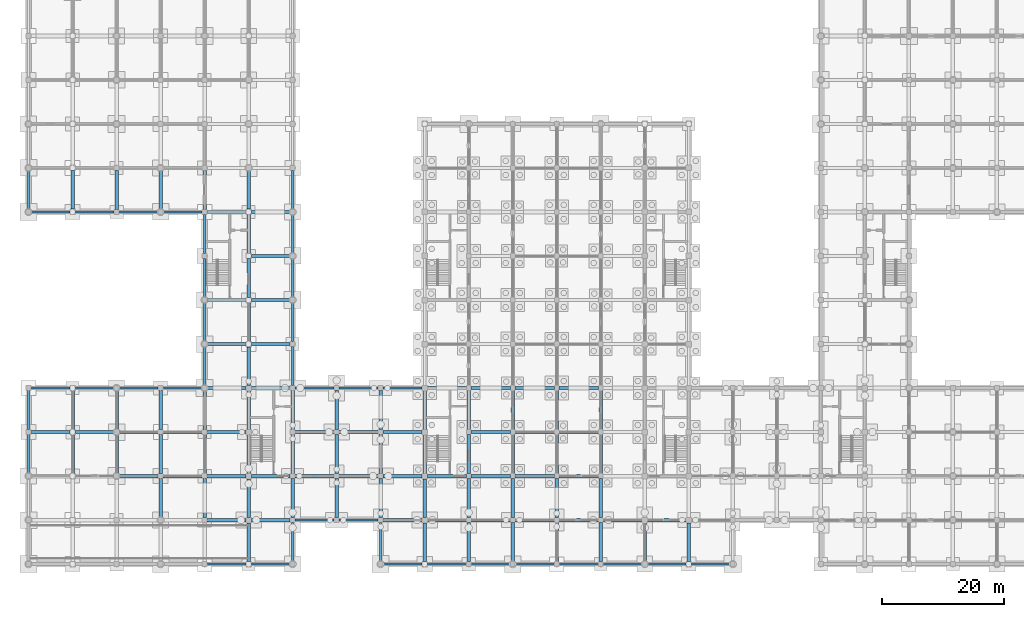
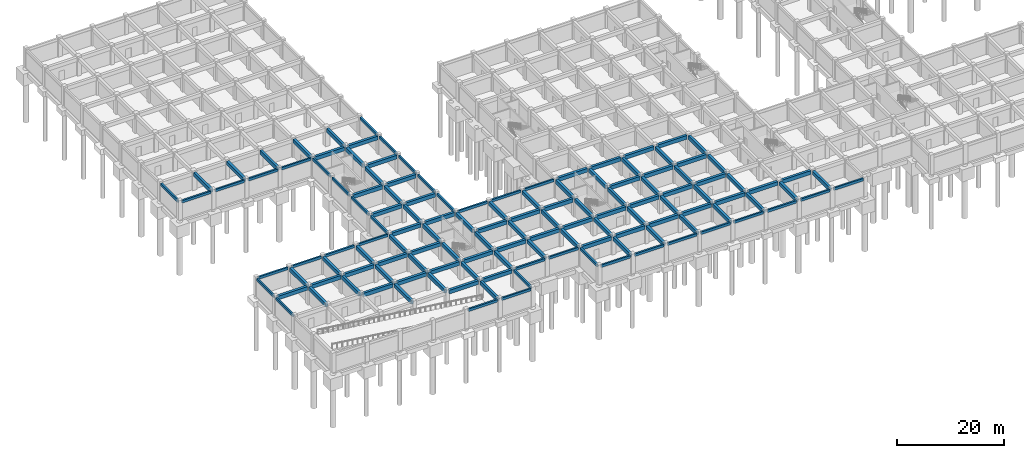
# One storey, part 9 of 25: 135 beams.
"""IFC4 building model written with IfcOpenShell, lengths in metres."""

from ifc_helpers import new_model, si_unit, direction, frame, origin, origin_2d, place, context, subcontext, project, spatial, rectangle, extrude, material, material_profile, profile_set, type_object, element, save


model = new_model("IFC4")

# Units and contexts
model_context = context("Model", 3, precision=1e-05, world=origin(), true_north=direction((0.0, 1.0)))
body_context = subcontext(model_context, "Body", "Model", "MODEL_VIEW")
ifc_project = project(units=[si_unit("LENGTHUNIT", "METRE"), si_unit("AREAUNIT", "SQUARE_METRE"), si_unit("VOLUMEUNIT", "CUBIC_METRE"), si_unit("PLANEANGLEUNIT", "RADIAN"), si_unit("MASSUNIT", "GRAM", prefix="KILO")], contexts=[model_context])

# Site, building, storey
site_placement = place(None, origin())
site = spatial("IfcSite", under=ifc_project, at=site_placement, CompositionType="ELEMENT")
building_placement = place(site_placement, origin())
building = spatial("IfcBuilding", under=site, at=building_placement, Name="Cendaluz Park School", CompositionType="ELEMENT")
storey_placement = place(building_placement, frame((0.0, 0.0, -4.5)))
storey = spatial("IfcBuildingStorey", under=building, at=storey_placement, Name="B1", CompositionType="ELEMENT", Elevation=-4.5)

# Beams
ifc_material = material(Name="Concrete C40/50", Category="concrete")
ifc_material_profile_1 = material_profile(ifc_material, rectangle(XDim=0.550048828125, YDim=0.85009765625, at=origin_2d()), Name="RC 550x850", Category="concrete")
ifc_profile_set_1 = profile_set([ifc_material_profile_1], Name="Concrete C40/50")
beam_type_1 = type_object("IfcBeamType", Name="BM-RC01", PredefinedType="BEAM", material=ifc_profile_set_1)
for number, where, z_axis, x_axis, name in (
    (1, (0.39990234375, 21.60009765625, 3.72509765625), (1.0, 0.0, 0.0), (0.0, 1.0, 0.0), "BM-B1-BMRC01-0004"),
    (2, (7.64990234375, 21.60009765625, 3.72509765625), (1.0, 0.0, 0.0), (0.0, 1.0, 0.0), "BM-B1-BMRC01-0018"),
):
    element("IfcBeam", number, at=place(storey_placement, frame(where, z_axis=z_axis, x_axis=x_axis)), inside=storey, type_object=beam_type_1, Name=name, PredefinedType="BEAM", context=body_context, shape_type="SweptSolid", body=[
        extrude(rectangle(XDim=0.550048828125, YDim=0.85009765625, at=origin_2d()), origin(), (0.0, 0.0, 1.0), 6.35009765625),
    ])
for number, where, z_axis, x_axis, name in (
    (3, (14.800048828125, 14.39990234375, 3.72509765625), (1.0, 0.0, 0.0), (0.0, 1.0, 0.0), "BM-B1-BMRC01-0031"),
    (4, (14.800048828125, 21.60009765625, 3.72509765625), (1.0, 0.0, 0.0), (0.0, 1.0, 0.0), "BM-B1-BMRC01-0032"),
    (5, (22.0, 14.39990234375, 3.72509765625), (1.0, 0.0, 0.0), (0.0, 1.0, 0.0), "BM-B1-BMRC01-0045"),
    (6, (22.0, 21.60009765625, 3.72509765625), (1.0, 0.0, 0.0), (0.0, 1.0, 0.0), "BM-B1-BMRC01-0046"),
):
    element("IfcBeam", number, at=place(storey_placement, frame(where, z_axis=z_axis, x_axis=x_axis)), inside=storey, type_object=beam_type_1, Name=name, PredefinedType="BEAM", context=body_context, shape_type="SweptSolid", body=[
        extrude(rectangle(XDim=0.550048828125, YDim=0.85009765625, at=origin_2d()), origin(), (0.0, 0.0, 1.0), 6.39990234375),
    ])
for number, where, z_axis, x_axis, name in (
    (7, (29.199951171875, 7.199951171875, 3.72509765625), (1.0, 0.0, 0.0), (0.0, 1.0, 0.0), "BM-B1-BMRC01-0058"),
    (8, (29.199951171875, 14.39990234375, 3.72509765625), (1.0, 0.0, 0.0), (0.0, 1.0, 0.0), "BM-B1-BMRC01-0059"),
    (9, (29.199951171875, 21.60009765625, 3.72509765625), (1.0, 0.0, 0.0), (0.0, 1.0, 0.0), "BM-B1-BMRC01-0060"),
    (10, (29.199951171875, 28.800048828125, 3.72509765625), (1.0, 0.0, 0.0), (0.0, 1.0, 0.0), "BM-B1-BMRC01-0061"),
    (11, (29.199951171875, 36.0, 3.72509765625), (1.0, 0.0, 0.0), (0.0, 1.0, 0.0), "BM-B1-BMRC01-0062"),
    (12, (29.199951171875, 43.199951171875, 3.72509765625), (1.0, 0.0, 0.0), (0.0, 1.0, 0.0), "BM-B1-BMRC01-0063"),
    (13, (29.199951171875, 57.60009765625, 3.72509765625), (1.0, 0.0, 0.0), (0.0, 1.0, 0.0), "BM-B1-BMRC01-0064"),
    (14, (36.449951171875, 7.199951171875, 3.72509765625), (1.0, 0.0, 0.0), (0.0, 1.0, 0.0), "BM-B1-BMRC01-0074"),
    (15, (36.449951171875, 14.39990234375, 3.72509765625), (1.0, 0.0, 0.0), (0.0, 1.0, 0.0), "BM-B1-BMRC01-0075"),
    (16, (36.449951171875, 28.800048828125, 3.72509765625), (1.0, 0.0, 0.0), (0.0, 1.0, 0.0), "BM-B1-BMRC01-0076"),
    (17, (36.449951171875, 36.0, 3.72509765625), (1.0, 0.0, 0.0), (0.0, 1.0, 0.0), "BM-B1-BMRC01-0077"),
    (18, (36.449951171875, 43.199951171875, 3.72509765625), (1.0, 0.0, 0.0), (0.0, 1.0, 0.0), "BM-B1-BMRC01-0078"),
    (19, (36.449951171875, 50.39990234375, 3.72509765625), (1.0, 0.0, 0.0), (0.0, 1.0, 0.0), "BM-B1-BMRC01-0079"),
    (20, (36.449951171875, 57.60009765625, 3.72509765625), (1.0, 0.0, 0.0), (0.0, 1.0, 0.0), "BM-B1-BMRC01-0080"),
):
    element("IfcBeam", number, at=place(storey_placement, frame(where, z_axis=z_axis, x_axis=x_axis)), inside=storey, type_object=beam_type_1, Name=name, PredefinedType="BEAM", context=body_context, shape_type="SweptSolid", body=[
        extrude(rectangle(XDim=0.550048828125, YDim=0.85009765625, at=origin_2d()), origin(), (0.0, 0.0, 1.0), 6.35009765625),
    ])
for number, where, z_axis, x_axis, name in (
    (21, (43.60009765625, 14.39990234375, 3.72509765625), (1.0, 0.0, 0.0), (0.0, 1.0, 0.0), "BM-B1-BMRC01-0090"),
    (22, (43.60009765625, 21.60009765625, 3.72509765625), (1.0, 0.0, 0.0), (0.0, 1.0, 0.0), "BM-B1-BMRC01-0091"),
    (23, (50.800048828125, 14.39990234375, 3.72509765625), (1.0, 0.0, 0.0), (0.0, 1.0, 0.0), "BM-B1-BMRC01-0094"),
    (24, (50.800048828125, 21.60009765625, 3.72509765625), (1.0, 0.0, 0.0), (0.0, 1.0, 0.0), "BM-B1-BMRC01-0095"),
):
    element("IfcBeam", number, at=place(storey_placement, frame(where, z_axis=z_axis, x_axis=x_axis)), inside=storey, type_object=beam_type_1, Name=name, PredefinedType="BEAM", context=body_context, shape_type="SweptSolid", body=[
        extrude(rectangle(XDim=0.550048828125, YDim=0.85009765625, at=origin_2d()), origin(), (0.0, 0.0, 1.0), 6.39990234375),
    ])
for number, where, z_axis, x_axis, name in (
    (25, (58.0, 7.199951171875, 3.72509765625), (1.0, 0.0, 0.0), (0.0, 1.0, 0.0), "BM-B1-BMRC01-0098"),
    (26, (58.0, 14.39990234375, 3.72509765625), (1.0, 0.0, 0.0), (0.0, 1.0, 0.0), "BM-B1-BMRC01-0099"),
    (27, (58.0, 21.60009765625, 3.72509765625), (1.0, 0.0, 0.0), (0.0, 1.0, 0.0), "BM-B1-BMRC01-0100"),
    (28, (65.25, 7.199951171875, 3.72509765625), (1.0, 0.0, 0.0), (0.0, 1.0, 0.0), "BM-B1-BMRC01-0103"),
    (29, (65.25, 14.39990234375, 3.72509765625), (1.0, 0.0, 0.0), (0.0, 1.0, 0.0), "BM-B1-BMRC01-0104"),
    (30, (65.25, 28.800048828125, 3.72509765625), (1.0, 0.0, 0.0), (0.0, 1.0, 0.0), "BM-B1-BMRC01-0105"),
):
    element("IfcBeam", number, at=place(storey_placement, frame(where, z_axis=z_axis, x_axis=x_axis)), inside=storey, type_object=beam_type_1, Name=name, PredefinedType="BEAM", context=body_context, shape_type="SweptSolid", body=[
        extrude(rectangle(XDim=0.550048828125, YDim=0.85009765625, at=origin_2d()), origin(), (0.0, 0.0, 1.0), 6.35009765625),
    ])
for number, where, z_axis, x_axis, name in (
    (31, (72.39990234375, 7.199951171875, 3.72509765625), (1.0, 0.0, 0.0), (0.0, 1.0, 0.0), "BM-B1-BMRC01-0112"),
    (32, (72.39990234375, 14.39990234375, 3.72509765625), (1.0, 0.0, 0.0), (0.0, 1.0, 0.0), "BM-B1-BMRC01-0113"),
    (33, (72.39990234375, 21.60009765625, 3.72509765625), (1.0, 0.0, 0.0), (0.0, 1.0, 0.0), "BM-B1-BMRC01-0114"),
    (34, (72.39990234375, 28.800048828125, 3.72509765625), (1.0, 0.0, 0.0), (0.0, 1.0, 0.0), "BM-B1-BMRC01-0115"),
):
    element("IfcBeam", number, at=place(storey_placement, frame(where, z_axis=z_axis, x_axis=x_axis)), inside=storey, type_object=beam_type_1, Name=name, PredefinedType="BEAM", context=body_context, shape_type="SweptSolid", body=[
        extrude(rectangle(XDim=0.550048828125, YDim=0.85009765625, at=origin_2d()), origin(), (0.0, 0.0, 1.0), 6.400146484375),
    ])
for number, where, z_axis, x_axis, name in (
    (35, (79.60009765625, 7.199951171875, 3.72509765625), (1.0, 0.0, 0.0), (0.0, 1.0, 0.0), "BM-B1-BMRC01-0123"),
    (36, (79.60009765625, 14.39990234375, 3.72509765625), (1.0, 0.0, 0.0), (0.0, 1.0, 0.0), "BM-B1-BMRC01-0124"),
    (37, (79.60009765625, 21.60009765625, 3.72509765625), (1.0, 0.0, 0.0), (0.0, 1.0, 0.0), "BM-B1-BMRC01-0125"),
    (38, (79.60009765625, 28.800048828125, 3.72509765625), (1.0, 0.0, 0.0), (0.0, 1.0, 0.0), "BM-B1-BMRC01-0126"),
    (39, (86.800048828125, 7.199951171875, 3.72509765625), (1.0, 0.0, 0.0), (0.0, 1.0, 0.0), "BM-B1-BMRC01-0134"),
    (40, (86.800048828125, 14.39990234375, 3.72509765625), (1.0, 0.0, 0.0), (0.0, 1.0, 0.0), "BM-B1-BMRC01-0135"),
    (41, (86.800048828125, 21.60009765625, 3.72509765625), (1.0, 0.0, 0.0), (0.0, 1.0, 0.0), "BM-B1-BMRC01-0136"),
    (42, (86.800048828125, 28.800048828125, 3.72509765625), (1.0, 0.0, 0.0), (0.0, 1.0, 0.0), "BM-B1-BMRC01-0137"),
):
    element("IfcBeam", number, at=place(storey_placement, frame(where, z_axis=z_axis, x_axis=x_axis)), inside=storey, type_object=beam_type_1, Name=name, PredefinedType="BEAM", context=body_context, shape_type="SweptSolid", body=[
        extrude(rectangle(XDim=0.550048828125, YDim=0.85009765625, at=origin_2d()), origin(), (0.0, 0.0, 1.0), 6.39990234375),
    ])
beam_1_placement = place(storey_placement, frame((94.0, 7.199951171875, 3.72509765625), z_axis=(1.0, 0.0, 0.0), x_axis=(0.0, 1.0, 0.0)))
element("IfcBeam", 43, at=beam_1_placement, inside=storey, type_object=beam_type_1, Name="BM-B1-BMRC01-0145", PredefinedType="BEAM", context=body_context, shape_type="SweptSolid", body=[
    extrude(rectangle(XDim=0.550048828125, YDim=0.85009765625, at=origin_2d()), origin(), (0.0, 0.0, 1.0), 6.35009765625),
])
beam_2_placement = place(storey_placement, frame((101.25, 7.199951171875, 3.72509765625), z_axis=(1.0, 0.0, 0.0), x_axis=(0.0, 1.0, 0.0)))
element("IfcBeam", 44, at=beam_2_placement, inside=storey, type_object=beam_type_1, Name="BM-B1-BMRC01-0156", PredefinedType="BEAM", context=body_context, shape_type="SweptSolid", body=[
    extrude(rectangle(XDim=0.550048828125, YDim=0.85009765625, at=origin_2d()), origin(), (0.0, 0.0, 1.0), 6.300048828125),
])
beam_3_placement = place(storey_placement, frame((7.199951171875, 14.85009765625, 3.72509765625), z_axis=(0.0, 1.0, 0.0), x_axis=(-1.0, 0.0, 0.0)))
element("IfcBeam", 45, at=beam_3_placement, inside=storey, type_object=beam_type_1, Name="BM-B1-BMRC01-0278", PredefinedType="BEAM", context=body_context, shape_type="SweptSolid", body=[
    extrude(rectangle(XDim=0.550048828125, YDim=0.85009765625, at=origin_2d()), origin(), (0.0, 0.0, 1.0), 6.2998046875),
])
for number, where, z_axis, x_axis, name in (
    (46, (7.199951171875, 22.050048828125, 3.72509765625), (0.0, 1.0, 0.0), (-1.0, 0.0, 0.0), "BM-B1-BMRC01-0279"),
    (47, (7.199951171875, 58.050048828125, 3.72509765625), (0.0, 1.0, 0.0), (-1.0, 0.0, 0.0), "BM-B1-BMRC01-0280"),
):
    element("IfcBeam", number, at=place(storey_placement, frame(where, z_axis=z_axis, x_axis=x_axis)), inside=storey, type_object=beam_type_1, Name=name, PredefinedType="BEAM", context=body_context, shape_type="SweptSolid", body=[
        extrude(rectangle(XDim=0.550048828125, YDim=0.85009765625, at=origin_2d()), origin(), (0.0, 0.0, 1.0), 6.300048828125),
    ])
for number, where, z_axis, x_axis, name in (
    (48, (14.39990234375, 14.800048828125, 3.72509765625), (0.0, 1.0, 0.0), (-1.0, 0.0, 0.0), "BM-B1-BMRC01-0290"),
    (49, (14.39990234375, 22.0, 3.72509765625), (0.0, 1.0, 0.0), (-1.0, 0.0, 0.0), "BM-B1-BMRC01-0291"),
    (50, (14.39990234375, 58.0, 3.72509765625), (0.0, 1.0, 0.0), (-1.0, 0.0, 0.0), "BM-B1-BMRC01-0292"),
    (51, (21.60009765625, 7.60009765625, 3.72509765625), (0.0, 1.0, 0.0), (-1.0, 0.0, 0.0), "BM-B1-BMRC01-0301"),
    (52, (21.60009765625, 14.800048828125, 3.72509765625), (0.0, 1.0, 0.0), (-1.0, 0.0, 0.0), "BM-B1-BMRC01-0302"),
    (53, (21.60009765625, 22.0, 3.72509765625), (0.0, 1.0, 0.0), (-1.0, 0.0, 0.0), "BM-B1-BMRC01-0303"),
    (54, (21.60009765625, 58.0, 3.72509765625), (0.0, 1.0, 0.0), (-1.0, 0.0, 0.0), "BM-B1-BMRC01-0304"),
    (55, (28.800048828125, 7.60009765625, 3.72509765625), (0.0, 1.0, 0.0), (-1.0, 0.0, 0.0), "BM-B1-BMRC01-0313"),
    (56, (28.800048828125, 14.800048828125, 3.72509765625), (0.0, 1.0, 0.0), (-1.0, 0.0, 0.0), "BM-B1-BMRC01-0314"),
    (57, (28.800048828125, 22.0, 3.72509765625), (0.0, 1.0, 0.0), (-1.0, 0.0, 0.0), "BM-B1-BMRC01-0315"),
    (58, (28.800048828125, 58.0, 3.72509765625), (0.0, 1.0, 0.0), (-1.0, 0.0, 0.0), "BM-B1-BMRC01-0320"),
):
    element("IfcBeam", number, at=place(storey_placement, frame(where, z_axis=z_axis, x_axis=x_axis)), inside=storey, type_object=beam_type_1, Name=name, PredefinedType="BEAM", context=body_context, shape_type="SweptSolid", body=[
        extrude(rectangle(XDim=0.550048828125, YDim=0.85009765625, at=origin_2d()), origin(), (0.0, 0.0, 1.0), 6.39990234375),
    ])
for number, where, z_axis, x_axis, name in (
    (59, (36.0, 0.449951171875, 3.72509765625), (0.0, 1.0, 0.0), (-1.0, 0.0, 0.0), "BM-B1-BMRC01-0328"),
    (60, (36.0, 7.64990234375, 3.72509765625), (0.0, 1.0, 0.0), (-1.0, 0.0, 0.0), "BM-B1-BMRC01-0329"),
):
    element("IfcBeam", number, at=place(storey_placement, frame(where, z_axis=z_axis, x_axis=x_axis)), inside=storey, type_object=beam_type_1, Name=name, PredefinedType="BEAM", context=body_context, shape_type="SweptSolid", body=[
        extrude(rectangle(XDim=0.550048828125, YDim=0.85009765625, at=origin_2d()), origin(), (0.0, 0.0, 1.0), 6.300048828125),
    ])
beam_4_placement = place(storey_placement, frame((36.0, 14.85009765625, 3.72509765625), z_axis=(0.0, 1.0, 0.0), x_axis=(-1.0, 0.0, 0.0)))
element("IfcBeam", 61, at=beam_4_placement, inside=storey, type_object=beam_type_1, Name="BM-B1-BMRC01-0330", PredefinedType="BEAM", context=body_context, shape_type="SweptSolid", body=[
    extrude(rectangle(XDim=0.550048828125, YDim=0.85009765625, at=origin_2d()), origin(), (0.0, 0.0, 1.0), 6.2998046875),
])
for number, where, z_axis, x_axis, name in (
    (62, (36.0, 22.050048828125, 3.72509765625), (0.0, 1.0, 0.0), (-1.0, 0.0, 0.0), "BM-B1-BMRC01-0331"),
    (63, (36.0, 29.25, 3.72509765625), (0.0, 1.0, 0.0), (-1.0, 0.0, 0.0), "BM-B1-BMRC01-0332"),
    (64, (36.0, 36.449951171875, 3.72509765625), (0.0, 1.0, 0.0), (-1.0, 0.0, 0.0), "BM-B1-BMRC01-0333"),
    (65, (36.0, 43.64990234375, 3.72509765625), (0.0, 1.0, 0.0), (-1.0, 0.0, 0.0), "BM-B1-BMRC01-0334"),
):
    element("IfcBeam", number, at=place(storey_placement, frame(where, z_axis=z_axis, x_axis=x_axis)), inside=storey, type_object=beam_type_1, Name=name, PredefinedType="BEAM", context=body_context, shape_type="SweptSolid", body=[
        extrude(rectangle(XDim=0.550048828125, YDim=0.85009765625, at=origin_2d()), origin(), (0.0, 0.0, 1.0), 6.300048828125),
    ])
beam_5_placement = place(storey_placement, frame((36.0, 50.85009765625, 3.72509765625), z_axis=(0.0, 1.0, 0.0), x_axis=(-1.0, 0.0, 0.0)))
element("IfcBeam", 66, at=beam_5_placement, inside=storey, type_object=beam_type_1, Name="BM-B1-BMRC01-0335", PredefinedType="BEAM", context=body_context, shape_type="SweptSolid", body=[
    extrude(rectangle(XDim=0.550048828125, YDim=0.85009765625, at=origin_2d()), origin(), (0.0, 0.0, 1.0), 6.2998046875),
])
beam_6_placement = place(storey_placement, frame((36.0, 58.050048828125, 3.72509765625), z_axis=(0.0, 1.0, 0.0), x_axis=(-1.0, 0.0, 0.0)))
element("IfcBeam", 67, at=beam_6_placement, inside=storey, type_object=beam_type_1, Name="BM-B1-BMRC01-0336", PredefinedType="BEAM", context=body_context, shape_type="SweptSolid", body=[
    extrude(rectangle(XDim=0.550048828125, YDim=0.85009765625, at=origin_2d()), origin(), (0.0, 0.0, 1.0), 6.300048828125),
])
for number, where, z_axis, x_axis, name in (
    (68, (43.199951171875, 7.60009765625, 3.72509765625), (0.0, 1.0, 0.0), (-1.0, 0.0, 0.0), "BM-B1-BMRC01-0345"),
    (69, (43.199951171875, 14.800048828125, 3.72509765625), (0.0, 1.0, 0.0), (-1.0, 0.0, 0.0), "BM-B1-BMRC01-0346"),
    (70, (43.199951171875, 22.0, 3.72509765625), (0.0, 1.0, 0.0), (-1.0, 0.0, 0.0), "BM-B1-BMRC01-0347"),
    (71, (50.39990234375, 7.60009765625, 3.72509765625), (0.0, 1.0, 0.0), (-1.0, 0.0, 0.0), "BM-B1-BMRC01-0360"),
    (72, (50.39990234375, 14.800048828125, 3.72509765625), (0.0, 1.0, 0.0), (-1.0, 0.0, 0.0), "BM-B1-BMRC01-0361"),
    (73, (50.39990234375, 22.0, 3.72509765625), (0.0, 1.0, 0.0), (-1.0, 0.0, 0.0), "BM-B1-BMRC01-0362"),
    (74, (57.60009765625, 7.60009765625, 3.72509765625), (0.0, 1.0, 0.0), (-1.0, 0.0, 0.0), "BM-B1-BMRC01-0364"),
    (75, (57.60009765625, 14.800048828125, 3.72509765625), (0.0, 1.0, 0.0), (-1.0, 0.0, 0.0), "BM-B1-BMRC01-0365"),
    (76, (57.60009765625, 22.0, 3.72509765625), (0.0, 1.0, 0.0), (-1.0, 0.0, 0.0), "BM-B1-BMRC01-0366"),
):
    element("IfcBeam", number, at=place(storey_placement, frame(where, z_axis=z_axis, x_axis=x_axis)), inside=storey, type_object=beam_type_1, Name=name, PredefinedType="BEAM", context=body_context, shape_type="SweptSolid", body=[
        extrude(rectangle(XDim=0.550048828125, YDim=0.85009765625, at=origin_2d()), origin(), (0.0, 0.0, 1.0), 6.39990234375),
    ])
for number, where, z_axis, x_axis, name in (
    (77, (64.800048828125, 0.449951171875, 3.72509765625), (0.0, 1.0, 0.0), (-1.0, 0.0, 0.0), "BM-B1-BMRC01-0367"),
    (78, (64.800048828125, 7.64990234375, 3.72509765625), (0.0, 1.0, 0.0), (-1.0, 0.0, 0.0), "BM-B1-BMRC01-0368"),
):
    element("IfcBeam", number, at=place(storey_placement, frame(where, z_axis=z_axis, x_axis=x_axis)), inside=storey, type_object=beam_type_1, Name=name, PredefinedType="BEAM", context=body_context, shape_type="SweptSolid", body=[
        extrude(rectangle(XDim=0.550048828125, YDim=0.85009765625, at=origin_2d()), origin(), (0.0, 0.0, 1.0), 6.300048828125),
    ])
beam_7_placement = place(storey_placement, frame((64.800048828125, 14.85009765625, 3.72509765625), z_axis=(0.0, 1.0, 0.0), x_axis=(-1.0, 0.0, 0.0)))
element("IfcBeam", 79, at=beam_7_placement, inside=storey, type_object=beam_type_1, Name="BM-B1-BMRC01-0369", PredefinedType="BEAM", context=body_context, shape_type="SweptSolid", body=[
    extrude(rectangle(XDim=0.550048828125, YDim=0.85009765625, at=origin_2d()), origin(), (0.0, 0.0, 1.0), 6.2998046875),
])
beam_8_placement = place(storey_placement, frame((64.800048828125, 22.050048828125, 3.72509765625), z_axis=(0.0, 1.0, 0.0), x_axis=(-1.0, 0.0, 0.0)))
element("IfcBeam", 80, at=beam_8_placement, inside=storey, type_object=beam_type_1, Name="BM-B1-BMRC01-0370", PredefinedType="BEAM", context=body_context, shape_type="SweptSolid", body=[
    extrude(rectangle(XDim=0.550048828125, YDim=0.85009765625, at=origin_2d()), origin(), (0.0, 0.0, 1.0), 6.300048828125),
])
beam_9_placement = place(storey_placement, frame((72.0, 0.39990234375, 3.72509765625), z_axis=(0.0, 1.0, 0.0), x_axis=(-1.0, 0.0, 0.0)))
element("IfcBeam", 81, at=beam_9_placement, inside=storey, type_object=beam_type_1, Name="BM-B1-BMRC01-0377", PredefinedType="BEAM", context=body_context, shape_type="SweptSolid", body=[
    extrude(rectangle(XDim=0.550048828125, YDim=0.85009765625, at=origin_2d()), origin(), (0.0, 0.0, 1.0), 6.400146484375),
])
for number, where, z_axis, x_axis, name in (
    (82, (72.0, 7.60009765625, 3.72509765625), (0.0, 1.0, 0.0), (-1.0, 0.0, 0.0), "BM-B1-BMRC01-0378"),
    (83, (72.0, 14.800048828125, 3.72509765625), (0.0, 1.0, 0.0), (-1.0, 0.0, 0.0), "BM-B1-BMRC01-0379"),
    (84, (72.0, 22.0, 3.72509765625), (0.0, 1.0, 0.0), (-1.0, 0.0, 0.0), "BM-B1-BMRC01-0380"),
):
    element("IfcBeam", number, at=place(storey_placement, frame(where, z_axis=z_axis, x_axis=x_axis)), inside=storey, type_object=beam_type_1, Name=name, PredefinedType="BEAM", context=body_context, shape_type="SweptSolid", body=[
        extrude(rectangle(XDim=0.550048828125, YDim=0.85009765625, at=origin_2d()), origin(), (0.0, 0.0, 1.0), 6.39990234375),
    ])
beam_10_placement = place(storey_placement, frame((79.199951171875, 0.39990234375, 3.72509765625), z_axis=(0.0, 1.0, 0.0), x_axis=(-1.0, 0.0, 0.0)))
element("IfcBeam", 85, at=beam_10_placement, inside=storey, type_object=beam_type_1, Name="BM-B1-BMRC01-0387", PredefinedType="BEAM", context=body_context, shape_type="SweptSolid", body=[
    extrude(rectangle(XDim=0.550048828125, YDim=0.85009765625, at=origin_2d()), origin(), (0.0, 0.0, 1.0), 6.400146484375),
])
for number, where, z_axis, x_axis, name in (
    (86, (79.199951171875, 7.60009765625, 3.72509765625), (0.0, 1.0, 0.0), (-1.0, 0.0, 0.0), "BM-B1-BMRC01-0388"),
    (87, (79.199951171875, 14.800048828125, 3.72509765625), (0.0, 1.0, 0.0), (-1.0, 0.0, 0.0), "BM-B1-BMRC01-0389"),
    (88, (79.199951171875, 22.0, 3.72509765625), (0.0, 1.0, 0.0), (-1.0, 0.0, 0.0), "BM-B1-BMRC01-0390"),
):
    element("IfcBeam", number, at=place(storey_placement, frame(where, z_axis=z_axis, x_axis=x_axis)), inside=storey, type_object=beam_type_1, Name=name, PredefinedType="BEAM", context=body_context, shape_type="SweptSolid", body=[
        extrude(rectangle(XDim=0.550048828125, YDim=0.85009765625, at=origin_2d()), origin(), (0.0, 0.0, 1.0), 6.39990234375),
    ])
beam_11_placement = place(storey_placement, frame((86.39990234375, 0.39990234375, 3.72509765625), z_axis=(0.0, 1.0, 0.0), x_axis=(-1.0, 0.0, 0.0)))
element("IfcBeam", 89, at=beam_11_placement, inside=storey, type_object=beam_type_1, Name="BM-B1-BMRC01-0397", PredefinedType="BEAM", context=body_context, shape_type="SweptSolid", body=[
    extrude(rectangle(XDim=0.550048828125, YDim=0.85009765625, at=origin_2d()), origin(), (0.0, 0.0, 1.0), 6.400146484375),
])
for number, where, z_axis, x_axis, name in (
    (90, (86.39990234375, 7.60009765625, 3.72509765625), (0.0, 1.0, 0.0), (-1.0, 0.0, 0.0), "BM-B1-BMRC01-0398"),
    (91, (86.39990234375, 14.800048828125, 3.72509765625), (0.0, 1.0, 0.0), (-1.0, 0.0, 0.0), "BM-B1-BMRC01-0399"),
    (92, (86.39990234375, 22.0, 3.72509765625), (0.0, 1.0, 0.0), (-1.0, 0.0, 0.0), "BM-B1-BMRC01-0400"),
):
    element("IfcBeam", number, at=place(storey_placement, frame(where, z_axis=z_axis, x_axis=x_axis)), inside=storey, type_object=beam_type_1, Name=name, PredefinedType="BEAM", context=body_context, shape_type="SweptSolid", body=[
        extrude(rectangle(XDim=0.550048828125, YDim=0.85009765625, at=origin_2d()), origin(), (0.0, 0.0, 1.0), 6.39990234375),
    ])
beam_12_placement = place(storey_placement, frame((93.60009765625, 0.39990234375, 3.72509765625), z_axis=(0.0, 1.0, 0.0), x_axis=(-1.0, 0.0, 0.0)))
element("IfcBeam", 93, at=beam_12_placement, inside=storey, type_object=beam_type_1, Name="BM-B1-BMRC01-0407", PredefinedType="BEAM", context=body_context, shape_type="SweptSolid", body=[
    extrude(rectangle(XDim=0.550048828125, YDim=0.85009765625, at=origin_2d()), origin(), (0.0, 0.0, 1.0), 6.400146484375),
])
for number, where, z_axis, x_axis, name in (
    (94, (93.60009765625, 7.60009765625, 3.72509765625), (0.0, 1.0, 0.0), (-1.0, 0.0, 0.0), "BM-B1-BMRC01-0408"),
    (95, (93.60009765625, 14.800048828125, 3.72509765625), (0.0, 1.0, 0.0), (-1.0, 0.0, 0.0), "BM-B1-BMRC01-0409"),
    (96, (93.60009765625, 22.0, 3.72509765625), (0.0, 1.0, 0.0), (-1.0, 0.0, 0.0), "BM-B1-BMRC01-0410"),
):
    element("IfcBeam", number, at=place(storey_placement, frame(where, z_axis=z_axis, x_axis=x_axis)), inside=storey, type_object=beam_type_1, Name=name, PredefinedType="BEAM", context=body_context, shape_type="SweptSolid", body=[
        extrude(rectangle(XDim=0.550048828125, YDim=0.85009765625, at=origin_2d()), origin(), (0.0, 0.0, 1.0), 6.39990234375),
    ])
for number, where, z_axis, x_axis, name in (
    (97, (100.800048828125, 0.449951171875, 3.72509765625), (0.0, 1.0, 0.0), (-1.0, 0.0, 0.0), "BM-B1-BMRC01-0417"),
    (98, (108.0, 0.449951171875, 3.72509765625), (0.0, 1.0, 0.0), (-1.0, 0.0, 0.0), "BM-B1-BMRC01-0427"),
):
    element("IfcBeam", number, at=place(storey_placement, frame(where, z_axis=z_axis, x_axis=x_axis)), inside=storey, type_object=beam_type_1, Name=name, PredefinedType="BEAM", context=body_context, shape_type="SweptSolid", body=[
        extrude(rectangle(XDim=0.550048828125, YDim=0.85009765625, at=origin_2d()), origin(), (0.0, 0.0, 1.0), 6.300048828125),
    ])
ifc_material_profile_2 = material_profile(ifc_material, rectangle(XDim=0.35009765625, YDim=0.580078125, at=origin_2d()), Name="RC 350x580", Category="concrete")
ifc_profile_set_2 = profile_set([ifc_material_profile_2], Name="Concrete C40/50")
beam_type_2 = type_object("IfcBeamType", Name="BM-RC04", PredefinedType="LINTEL", material=ifc_profile_set_2)
for number, where, z_axis, x_axis, name in (
    (99, (0.39990234375, 28.800048828125, 3.860107421875), (1.0, 0.0, 0.0), (0.0, 1.0, 0.0), "BM-B1-BMRC04-0005"),
    (100, (0.39990234375, 57.60009765625, 3.860107421875), (1.0, 0.0, 0.0), (0.0, 1.0, 0.0), "BM-B1-BMRC04-0006"),
    (101, (7.64990234375, 28.800048828125, 3.860107421875), (1.0, 0.0, 0.0), (0.0, 1.0, 0.0), "BM-B1-BMRC04-0019"),
    (102, (7.64990234375, 57.60009765625, 3.860107421875), (1.0, 0.0, 0.0), (0.0, 1.0, 0.0), "BM-B1-BMRC04-0020"),
):
    element("IfcBeam", number, at=place(storey_placement, frame(where, z_axis=z_axis, x_axis=x_axis)), inside=storey, type_object=beam_type_2, Name=name, PredefinedType="LINTEL", context=body_context, shape_type="SweptSolid", body=[
        extrude(rectangle(XDim=0.35009765625, YDim=0.580078125, at=origin_2d()), origin(), (0.0, 0.0, 1.0), 6.35009765625),
    ])
for number, where, z_axis, x_axis, name in (
    (103, (14.800048828125, 28.800048828125, 3.860107421875), (1.0, 0.0, 0.0), (0.0, 1.0, 0.0), "BM-B1-BMRC04-0033"),
    (104, (14.800048828125, 57.60009765625, 3.860107421875), (1.0, 0.0, 0.0), (0.0, 1.0, 0.0), "BM-B1-BMRC04-0034"),
    (105, (22.0, 28.800048828125, 3.860107421875), (1.0, 0.0, 0.0), (0.0, 1.0, 0.0), "BM-B1-BMRC04-0047"),
    (106, (22.0, 57.60009765625, 3.860107421875), (1.0, 0.0, 0.0), (0.0, 1.0, 0.0), "BM-B1-BMRC04-0048"),
):
    element("IfcBeam", number, at=place(storey_placement, frame(where, z_axis=z_axis, x_axis=x_axis)), inside=storey, type_object=beam_type_2, Name=name, PredefinedType="LINTEL", context=body_context, shape_type="SweptSolid", body=[
        extrude(rectangle(XDim=0.35009765625, YDim=0.580078125, at=origin_2d()), origin(), (0.0, 0.0, 1.0), 6.39990234375),
    ])
for number, where, z_axis, x_axis, name in (
    (107, (29.199951171875, 0.0, 3.860107421875), (1.0, 0.0, 0.0), (0.0, 1.0, 0.0), "BM-B1-BMRC04-0057"),
    (108, (36.449951171875, 0.0, 3.860107421875), (1.0, 0.0, 0.0), (0.0, 1.0, 0.0), "BM-B1-BMRC04-0073"),
):
    element("IfcBeam", number, at=place(storey_placement, frame(where, z_axis=z_axis, x_axis=x_axis)), inside=storey, type_object=beam_type_2, Name=name, PredefinedType="LINTEL", context=body_context, shape_type="SweptSolid", body=[
        extrude(rectangle(XDim=0.35009765625, YDim=0.580078125, at=origin_2d()), origin(), (0.0, 0.0, 1.0), 6.35009765625),
    ])
for number, where, z_axis, x_axis, name in (
    (109, (43.60009765625, 7.199951171875, 3.860107421875), (1.0, 0.0, 0.0), (0.0, 1.0, 0.0), "BM-B1-BMRC04-0089"),
    (110, (43.60009765625, 28.800048828125, 3.860107421875), (1.0, 0.0, 0.0), (0.0, 1.0, 0.0), "BM-B1-BMRC04-0092"),
    (111, (50.800048828125, 7.199951171875, 3.860107421875), (1.0, 0.0, 0.0), (0.0, 1.0, 0.0), "BM-B1-BMRC04-0093"),
    (112, (50.800048828125, 28.800048828125, 3.860107421875), (1.0, 0.0, 0.0), (0.0, 1.0, 0.0), "BM-B1-BMRC04-0096"),
):
    element("IfcBeam", number, at=place(storey_placement, frame(where, z_axis=z_axis, x_axis=x_axis)), inside=storey, type_object=beam_type_2, Name=name, PredefinedType="LINTEL", context=body_context, shape_type="SweptSolid", body=[
        extrude(rectangle(XDim=0.35009765625, YDim=0.580078125, at=origin_2d()), origin(), (0.0, 0.0, 1.0), 6.39990234375),
    ])
for number, where, z_axis, x_axis, name in (
    (113, (58.0, 0.0, 3.860107421875), (1.0, 0.0, 0.0), (0.0, 1.0, 0.0), "BM-B1-BMRC04-0097"),
    (114, (58.0, 28.800048828125, 3.860107421875), (1.0, 0.0, 0.0), (0.0, 1.0, 0.0), "BM-B1-BMRC04-0101"),
    (115, (65.25, 0.0, 3.860107421875), (1.0, 0.0, 0.0), (0.0, 1.0, 0.0), "BM-B1-BMRC04-0102"),
):
    element("IfcBeam", number, at=place(storey_placement, frame(where, z_axis=z_axis, x_axis=x_axis)), inside=storey, type_object=beam_type_2, Name=name, PredefinedType="LINTEL", context=body_context, shape_type="SweptSolid", body=[
        extrude(rectangle(XDim=0.35009765625, YDim=0.580078125, at=origin_2d()), origin(), (0.0, 0.0, 1.0), 6.35009765625),
    ])
beam_13_placement = place(storey_placement, frame((72.39990234375, 0.0, 3.860107421875), z_axis=(1.0, 0.0, 0.0), x_axis=(0.0, 1.0, 0.0)))
element("IfcBeam", 116, at=beam_13_placement, inside=storey, type_object=beam_type_2, Name="BM-B1-BMRC04-0111", PredefinedType="LINTEL", context=body_context, shape_type="SweptSolid", body=[
    extrude(rectangle(XDim=0.35009765625, YDim=0.580078125, at=origin_2d()), origin(), (0.0, 0.0, 1.0), 6.400146484375),
])
for number, where, z_axis, x_axis, name in (
    (117, (79.60009765625, 0.0, 3.860107421875), (1.0, 0.0, 0.0), (0.0, 1.0, 0.0), "BM-B1-BMRC04-0122"),
    (118, (86.800048828125, 0.0, 3.860107421875), (1.0, 0.0, 0.0), (0.0, 1.0, 0.0), "BM-B1-BMRC04-0133"),
):
    element("IfcBeam", number, at=place(storey_placement, frame(where, z_axis=z_axis, x_axis=x_axis)), inside=storey, type_object=beam_type_2, Name=name, PredefinedType="LINTEL", context=body_context, shape_type="SweptSolid", body=[
        extrude(rectangle(XDim=0.35009765625, YDim=0.580078125, at=origin_2d()), origin(), (0.0, 0.0, 1.0), 6.39990234375),
    ])
beam_14_placement = place(storey_placement, frame((94.0, 0.0, 3.860107421875), z_axis=(1.0, 0.0, 0.0), x_axis=(0.0, 1.0, 0.0)))
element("IfcBeam", 119, at=beam_14_placement, inside=storey, type_object=beam_type_2, Name="BM-B1-BMRC04-0144", PredefinedType="LINTEL", context=body_context, shape_type="SweptSolid", body=[
    extrude(rectangle(XDim=0.35009765625, YDim=0.580078125, at=origin_2d()), origin(), (0.0, 0.0, 1.0), 6.35009765625),
])
beam_15_placement = place(storey_placement, frame((101.25, 0.0, 3.860107421875), z_axis=(1.0, 0.0, 0.0), x_axis=(0.0, 1.0, 0.0)))
element("IfcBeam", 120, at=beam_15_placement, inside=storey, type_object=beam_type_2, Name="BM-B1-BMRC04-0155", PredefinedType="LINTEL", context=body_context, shape_type="SweptSolid", body=[
    extrude(rectangle(XDim=0.35009765625, YDim=0.580078125, at=origin_2d()), origin(), (0.0, 0.0, 1.0), 6.300048828125),
])
beam_16_placement = place(storey_placement, frame((108.449951171875, 0.0, 3.860107421875), z_axis=(1.0, 0.0, 0.0), x_axis=(0.0, 1.0, 0.0)))
element("IfcBeam", 121, at=beam_16_placement, inside=storey, type_object=beam_type_2, Name="BM-B1-BMRC04-0164", PredefinedType="LINTEL", context=body_context, shape_type="SweptSolid", body=[
    extrude(rectangle(XDim=0.35009765625, YDim=0.580078125, at=origin_2d()), origin(), (0.0, 0.0, 1.0), 6.35009765625),
])
for number, where, z_axis, x_axis, name in (
    (122, (0.0, 14.800048828125, 3.860107421875), (0.0, 1.0, 0.0), (-1.0, 0.0, 0.0), "BM-B1-BMRC04-0266"),
    (123, (0.0, 22.0, 3.860107421875), (0.0, 1.0, 0.0), (-1.0, 0.0, 0.0), "BM-B1-BMRC04-0267"),
    (124, (0.0, 58.0, 3.860107421875), (0.0, 1.0, 0.0), (-1.0, 0.0, 0.0), "BM-B1-BMRC04-0268"),
):
    element("IfcBeam", number, at=place(storey_placement, frame(where, z_axis=z_axis, x_axis=x_axis)), inside=storey, type_object=beam_type_2, Name=name, PredefinedType="LINTEL", context=body_context, shape_type="SweptSolid", body=[
        extrude(rectangle(XDim=0.35009765625, YDim=0.580078125, at=origin_2d()), origin(), (0.0, 0.0, 1.0), 6.39990234375),
    ])
for number, where, z_axis, x_axis, name in (
    (125, (28.800048828125, 29.199951171875, 3.860107421875), (0.0, 1.0, 0.0), (-1.0, 0.0, 0.0), "BM-B1-BMRC04-0316"),
    (126, (28.800048828125, 36.39990234375, 3.860107421875), (0.0, 1.0, 0.0), (-1.0, 0.0, 0.0), "BM-B1-BMRC04-0317"),
):
    element("IfcBeam", number, at=place(storey_placement, frame(where, z_axis=z_axis, x_axis=x_axis)), inside=storey, type_object=beam_type_2, Name=name, PredefinedType="LINTEL", context=body_context, shape_type="SweptSolid", body=[
        extrude(rectangle(XDim=0.35009765625, YDim=0.580078125, at=origin_2d()), origin(), (0.0, 0.0, 1.0), 6.400146484375),
    ])
for number, where, z_axis, x_axis, name in (
    (127, (28.800048828125, 43.60009765625, 3.860107421875), (0.0, 1.0, 0.0), (-1.0, 0.0, 0.0), "BM-B1-BMRC04-0318"),
    (128, (28.800048828125, 50.800048828125, 3.860107421875), (0.0, 1.0, 0.0), (-1.0, 0.0, 0.0), "BM-B1-BMRC04-0319"),
):
    element("IfcBeam", number, at=place(storey_placement, frame(where, z_axis=z_axis, x_axis=x_axis)), inside=storey, type_object=beam_type_2, Name=name, PredefinedType="LINTEL", context=body_context, shape_type="SweptSolid", body=[
        extrude(rectangle(XDim=0.35009765625, YDim=0.580078125, at=origin_2d()), origin(), (0.0, 0.0, 1.0), 6.39990234375),
    ])
for number, where, z_axis, x_axis, name in (
    (129, (43.199951171875, 0.39990234375, 3.860107421875), (0.0, 1.0, 0.0), (-1.0, 0.0, 0.0), "BM-B1-BMRC04-0344"),
    (130, (43.199951171875, 29.199951171875, 3.860107421875), (0.0, 1.0, 0.0), (-1.0, 0.0, 0.0), "BM-B1-BMRC04-0348"),
    (131, (43.199951171875, 36.39990234375, 3.860107421875), (0.0, 1.0, 0.0), (-1.0, 0.0, 0.0), "BM-B1-BMRC04-0349"),
):
    element("IfcBeam", number, at=place(storey_placement, frame(where, z_axis=z_axis, x_axis=x_axis)), inside=storey, type_object=beam_type_2, Name=name, PredefinedType="LINTEL", context=body_context, shape_type="SweptSolid", body=[
        extrude(rectangle(XDim=0.35009765625, YDim=0.580078125, at=origin_2d()), origin(), (0.0, 0.0, 1.0), 6.400146484375),
    ])
for number, where, z_axis, x_axis, name in (
    (132, (43.199951171875, 43.60009765625, 3.860107421875), (0.0, 1.0, 0.0), (-1.0, 0.0, 0.0), "BM-B1-BMRC04-0350"),
    (133, (43.199951171875, 50.800048828125, 3.860107421875), (0.0, 1.0, 0.0), (-1.0, 0.0, 0.0), "BM-B1-BMRC04-0351"),
    (134, (43.199951171875, 58.0, 3.860107421875), (0.0, 1.0, 0.0), (-1.0, 0.0, 0.0), "BM-B1-BMRC04-0352"),
):
    element("IfcBeam", number, at=place(storey_placement, frame(where, z_axis=z_axis, x_axis=x_axis)), inside=storey, type_object=beam_type_2, Name=name, PredefinedType="LINTEL", context=body_context, shape_type="SweptSolid", body=[
        extrude(rectangle(XDim=0.35009765625, YDim=0.580078125, at=origin_2d()), origin(), (0.0, 0.0, 1.0), 6.39990234375),
    ])
beam_17_placement = place(storey_placement, frame((57.60009765625, 0.39990234375, 3.860107421875), z_axis=(0.0, 1.0, 0.0), x_axis=(-1.0, 0.0, 0.0)))
element("IfcBeam", 135, at=beam_17_placement, inside=storey, type_object=beam_type_2, Name="BM-B1-BMRC04-0363", PredefinedType="LINTEL", context=body_context, shape_type="SweptSolid", body=[
    extrude(rectangle(XDim=0.35009765625, YDim=0.580078125, at=origin_2d()), origin(), (0.0, 0.0, 1.0), 6.400146484375),
])

save(model, "model.ifc")
